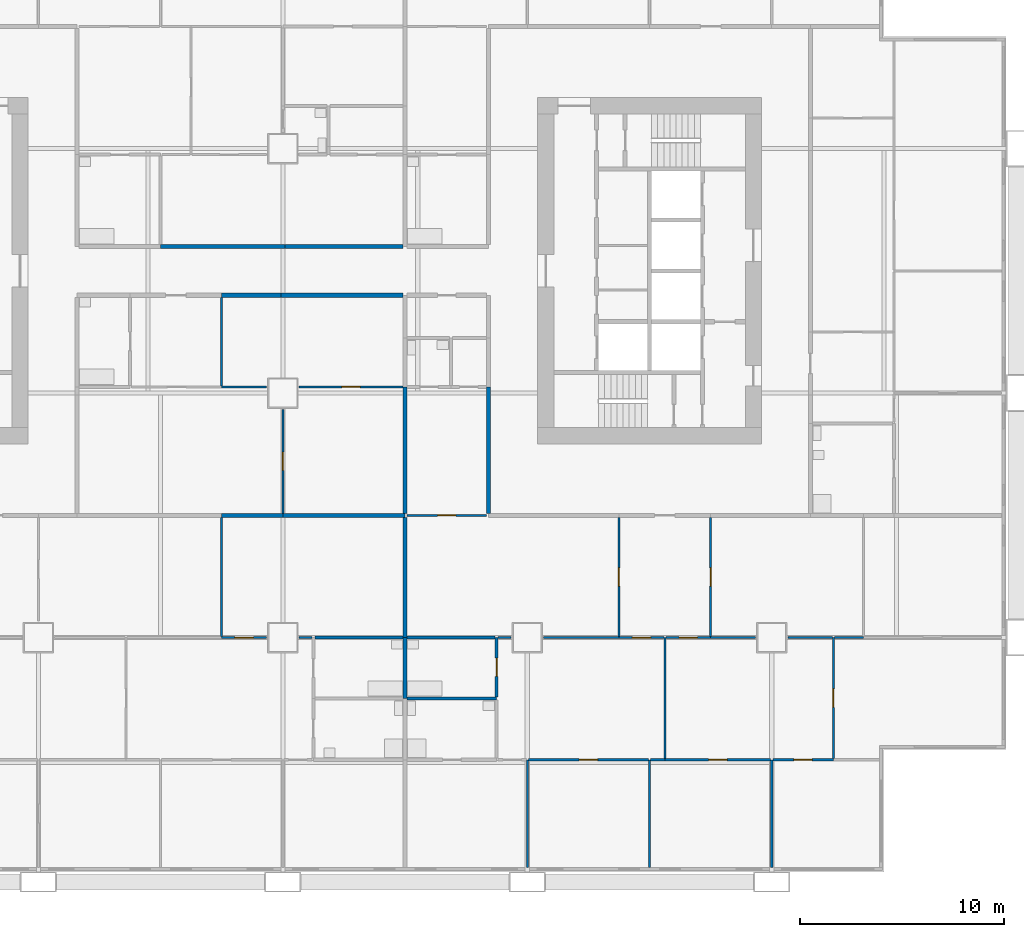
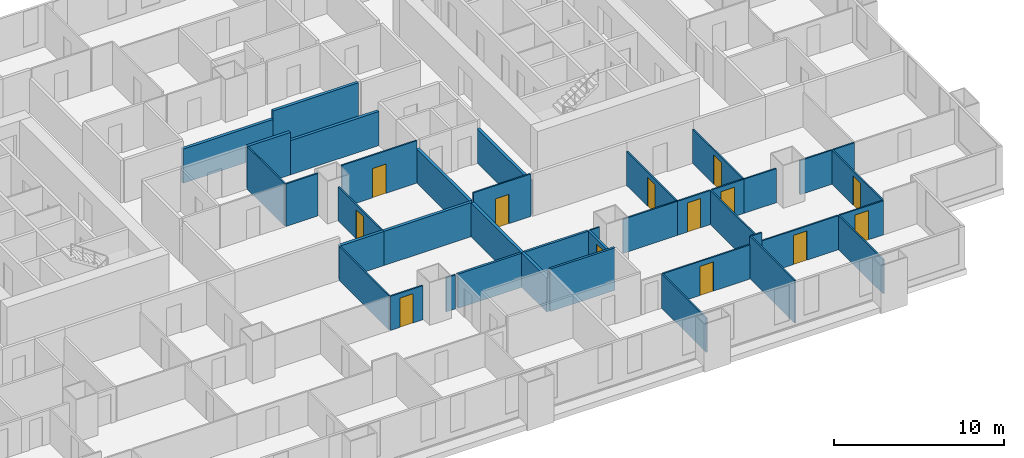
# One storey, part 6 of 14: 40 walls, 13 doors, 13 openings.
"""IFC4 building model written with IfcOpenShell, lengths in metres."""

from ifc_helpers import new_model, si_unit, direction, frame, frame_2d, origin, place, context, subcontext, project, spatial, rectangle, extrude, material, layer, layer_set, type_object, element, fill, save


model = new_model("IFC4")

# Units and contexts
model_context = context("Model", 3, precision=1e-05, world=origin(), true_north=direction((0.0, 1.0)))
body_context = subcontext(model_context, "Body", "Model", "MODEL_VIEW")
ifc_project = project(units=[si_unit("LENGTHUNIT", "METRE"), si_unit("AREAUNIT", "SQUARE_METRE"), si_unit("VOLUMEUNIT", "CUBIC_METRE"), si_unit("PLANEANGLEUNIT", "RADIAN"), si_unit("MASSUNIT", "GRAM", prefix="KILO")], contexts=[model_context])

# Site, building, storey
site_placement = place(None, origin())
site = spatial("IfcSite", under=ifc_project, at=site_placement, CompositionType="ELEMENT")
building_placement = place(site_placement, origin())
building = spatial("IfcBuilding", under=site, at=building_placement, Name="Kitamizu Gate Tower and Museum", CompositionType="ELEMENT")
storey_placement = place(building_placement, frame((0.0, 0.0, 54.14990234375)))
storey = spatial("IfcBuildingStorey", under=building, at=storey_placement, Name="L12", CompositionType="ELEMENT", Elevation=54.14990234375)

# Wall, opening, door
ifc_material_1 = material(Name="Gypsum board on galvanised stud")
ifc_layer_1 = layer(ifc_material_1, 0.10009765625)
ifc_layer_set_1 = layer_set([ifc_layer_1], Name="Gypsum board on galvanised stud")
wall_type_1 = type_object("IfcWallType", Name="Partition 100 NOT RATED", PredefinedType="PARTITIONING", material=ifc_layer_set_1)
wall_1_placement = place(storey_placement, frame((35.199951171875, 12.0, 0.0), z_axis=(0.0, 0.0, 1.0), x_axis=(-1.0, 0.0, 0.0)))
wall_1 = element("IfcWall", 1, at=wall_1_placement, inside=storey, type_object=wall_type_1, Name="Partition L12-030", PredefinedType="PARTITIONING", context=body_context, shape_type="SweptSolid", body=[
    extrude(rectangle(XDim=2.199951171875, YDim=0.10009765625, at=frame_2d((1.10009765625, 0.0))), origin(), (0.0, 0.0, 1.0), 2.4501953125),
])
opening_1_placement = place(wall_1_placement, frame((0.64990234375, 0.0, 0.0)))
opening_1 = element("IfcOpeningElement", 2, at=opening_1_placement, cuts=wall_1, Name="Opening L12-019", PredefinedType="OPENING", context=body_context, shape_type="SweptSolid", body=[
    extrude(rectangle(XDim=0.89990234375, YDim=2.10009765625, at=frame_2d((0.449951171875, 1.050048828125))), frame((0.0, 0.06005859375, 0.0), z_axis=(0.0, -1.0, 0.0), x_axis=(1.0, 0.0, 0.0)), (0.0, 0.0, 1.0), 0.1201171875),
])
ifc_material_2 = material(Name="Timber door set", Category="wood")
door_type_1 = type_object("IfcDoorType", Name="Room door 900", OperationType="NOTDEFINED", PredefinedType="DOOR", material=ifc_material_2)
door_1_placement = place(opening_1_placement, frame((0.89990234375, 0.0, 0.0), x_axis=(-1.0, 0.0, 0.0)))
door_1 = element("IfcDoor", 3, at=door_1_placement, inside=storey, type_object=door_type_1, Name="Door L12-019", OperationType="SINGLE_SWING_RIGHT", OverallHeight=2.10009765625, OverallWidth=0.89990234375, PredefinedType="DOOR", context=body_context, shape_type="SweptSolid", body=[
    extrude(rectangle(XDim=0.89990234375, YDim=2.10009765625, at=frame_2d((0.449951171875, 1.050048828125))), frame((0.0, 0.02490234375, 0.0), z_axis=(0.0, -1.0, 0.0), x_axis=(1.0, 0.0, 0.0)), (0.0, 0.0, 1.0), 0.050048828125),
])
fill(opening_1, door_1)

# Walls
wall_2_placement = place(storey_placement, frame((37.425048828125, 12.0, 0.0), z_axis=(0.0, 0.0, 1.0), x_axis=(-1.0, 0.0, 0.0)))
element("IfcWall", 4, at=wall_2_placement, inside=storey, type_object=wall_type_1, Name="Partition L12-031", PredefinedType="PARTITIONING", context=body_context, shape_type="SweptSolid", body=[
    extrude(rectangle(XDim=0.625, YDim=0.10009765625, at=frame_2d((0.3125, 0.0))), origin(), (0.0, 0.0, 1.0), 2.4501953125),
])
wall_3_placement = place(storey_placement, frame((33.0, 12.050048828125, 0.0), z_axis=(0.0, 0.0, 1.0), x_axis=(0.0, 1.0, 0.0)))
element("IfcWall", 5, at=wall_3_placement, inside=storey, type_object=wall_type_1, Name="Partition L12-053", PredefinedType="PARTITIONING", context=body_context, shape_type="SweptSolid", body=[
    extrude(rectangle(XDim=5.849853515625, YDim=0.10009765625, at=frame_2d((2.9248046875, 0.0))), origin(), (0.0, 0.0, 1.0), 2.4501953125),
])

# Wall, opening, door
wall_4_placement = place(storey_placement, frame((36.0, 18.10009765625, 0.0), z_axis=(0.0, 0.0, 1.0), x_axis=(0.0, 1.0, 0.0)))
wall_4 = element("IfcWall", 6, at=wall_4_placement, inside=storey, type_object=wall_type_1, Name="Partition L12-059", PredefinedType="PARTITIONING", context=body_context, shape_type="SweptSolid", body=[
    extrude(rectangle(XDim=5.099853515625, YDim=0.10009765625, at=frame_2d((2.5498046875, 0.0))), origin(), (0.0, 0.0, 1.0), 2.4501953125),
])
opening_2_placement = place(wall_4_placement, frame((2.10009765625, 0.0, 0.0)))
opening_2 = element("IfcOpeningElement", 7, at=opening_2_placement, cuts=wall_4, Name="Opening L12-023", PredefinedType="OPENING", context=body_context, shape_type="SweptSolid", body=[
    extrude(rectangle(XDim=0.89990234375, YDim=2.10009765625, at=frame_2d((0.449951171875, 1.050048828125))), frame((0.0, 0.06005859375, 0.0), z_axis=(0.0, -1.0, 0.0), x_axis=(1.0, 0.0, 0.0)), (0.0, 0.0, 1.0), 0.1201171875),
])
door_2_placement = place(opening_2_placement, frame((0.89990234375, 0.0, 0.0), x_axis=(-1.0, 0.0, 0.0)))
door_2 = element("IfcDoor", 8, at=door_2_placement, inside=storey, type_object=door_type_1, Name="Door L12-023", OperationType="SINGLE_SWING_LEFT", OverallHeight=2.10009765625, OverallWidth=0.89990234375, PredefinedType="DOOR", context=body_context, shape_type="SweptSolid", body=[
    extrude(rectangle(XDim=0.89990234375, YDim=2.10009765625, at=frame_2d((0.449951171875, 1.050048828125))), frame((0.0, 0.02490234375, 0.0), z_axis=(0.0, -1.0, 0.0), x_axis=(1.0, 0.0, 0.0)), (0.0, 0.0, 1.0), 0.050048828125),
])
fill(opening_2, door_2)

# Wall
wall_5_placement = place(storey_placement, frame((35.199951171875, 24.300048828125, 0.0), z_axis=(0.0, 0.0, 1.0), x_axis=(-1.0, 0.0, 0.0)))
element("IfcWall", 9, at=wall_5_placement, inside=storey, type_object=wall_type_1, Name="Partition L12-062", PredefinedType="PARTITIONING", context=body_context, shape_type="SweptSolid", body=[
    extrude(rectangle(XDim=2.199951171875, YDim=0.10009765625, at=frame_2d((1.10009765625, 0.0))), origin(), (0.0, 0.0, 1.0), 3.050048828125),
])

# Wall, opening, door
wall_6_placement = place(storey_placement, frame((41.89990234375, 24.300048828125, 0.0), z_axis=(0.0, 0.0, 1.0), x_axis=(-1.0, 0.0, 0.0)))
wall_6 = element("IfcWall", 10, at=wall_6_placement, inside=storey, type_object=wall_type_1, Name="Partition L12-065", PredefinedType="PARTITIONING", context=body_context, shape_type="SweptSolid", body=[
    extrude(rectangle(XDim=5.099853515625, YDim=0.10009765625, at=frame_2d((2.5498046875, 0.0))), origin(), (0.0, 0.0, 1.0), 3.050048828125),
])
opening_3_placement = place(wall_6_placement, frame((2.10009765625, 0.0, 0.0)))
opening_3 = element("IfcOpeningElement", 11, at=opening_3_placement, cuts=wall_6, Name="Opening L12-025", PredefinedType="OPENING", context=body_context, shape_type="SweptSolid", body=[
    extrude(rectangle(XDim=0.89990234375, YDim=2.10009765625, at=frame_2d((0.449951171875, 1.050048828125))), frame((0.0, 0.06005859375, 0.0), z_axis=(0.0, -1.0, 0.0), x_axis=(1.0, 0.0, 0.0)), (0.0, 0.0, 1.0), 0.1201171875),
])
door_3_placement = place(opening_3_placement, origin())
door_3 = element("IfcDoor", 12, at=door_3_placement, inside=storey, type_object=door_type_1, Name="Door L12-025", OperationType="SINGLE_SWING_RIGHT", OverallHeight=2.10009765625, OverallWidth=0.89990234375, PredefinedType="DOOR", context=body_context, shape_type="SweptSolid", body=[
    extrude(rectangle(XDim=0.89990234375, YDim=2.10009765625, at=frame_2d((0.449951171875, 1.050048828125))), frame((0.0, 0.02490234375, 0.0), z_axis=(0.0, -1.0, 0.0), x_axis=(1.0, 0.0, 0.0)), (0.0, 0.0, 1.0), 0.050048828125),
])
fill(opening_3, door_3)

# Walls
wall_7_placement = place(storey_placement, frame((33.0, 24.35009765625, 0.0), z_axis=(0.0, 0.0, 1.0), x_axis=(0.0, 1.0, 0.0)))
element("IfcWall", 13, at=wall_7_placement, inside=storey, type_object=wall_type_1, Name="Partition L12-070", PredefinedType="PARTITIONING", context=body_context, shape_type="SweptSolid", body=[
    extrude(rectangle(XDim=4.349853515625, YDim=0.10009765625, at=frame_2d((2.1748046875, 0.0))), origin(), (0.0, 0.0, 1.0), 3.050048828125),
])
wall_8_placement = place(storey_placement, frame((48.0, 0.719970703125, 0.0), z_axis=(0.0, 0.0, 1.0), x_axis=(0.0, 1.0, 0.0)))
element("IfcWall", 14, at=wall_8_placement, inside=storey, type_object=wall_type_1, Name="Partition L12-076", PredefinedType="PARTITIONING", context=body_context, shape_type="SweptSolid", body=[
    extrude(rectangle(XDim=5.280029296875, YDim=0.10009765625, at=frame_2d((2.64013671875, 0.0))), origin(), (0.0, 0.0, 1.0), 2.4501953125),
])
wall_9_placement = place(storey_placement, frame((54.0, 0.719970703125, 0.0), z_axis=(0.0, 0.0, 1.0), x_axis=(0.0, 1.0, 0.0)))
element("IfcWall", 15, at=wall_9_placement, inside=storey, type_object=wall_type_1, Name="Partition L12-079", PredefinedType="PARTITIONING", context=body_context, shape_type="SweptSolid", body=[
    extrude(rectangle(XDim=5.280029296875, YDim=0.10009765625, at=frame_2d((2.64013671875, 0.0))), origin(), (0.0, 0.0, 1.0), 3.050048828125),
])

# Wall, opening, door
wall_10_placement = place(storey_placement, frame((53.949951171875, 6.0, 0.0), z_axis=(0.0, 0.0, 1.0), x_axis=(-1.0, 0.0, 0.0)))
wall_10 = element("IfcWall", 16, at=wall_10_placement, inside=storey, type_object=wall_type_1, Name="Partition L12-080", PredefinedType="PARTITIONING", context=body_context, shape_type="SweptSolid", body=[
    extrude(rectangle(XDim=5.89990234375, YDim=0.10009765625, at=frame_2d((2.949951171875, 0.0))), origin(), (0.0, 0.0, 1.0), 2.4501953125),
])
opening_4_placement = place(wall_10_placement, frame((2.5, 0.0, 0.0)))
opening_4 = element("IfcOpeningElement", 17, at=opening_4_placement, cuts=wall_10, Name="Opening L12-032", PredefinedType="OPENING", context=body_context, shape_type="SweptSolid", body=[
    extrude(rectangle(XDim=0.89990234375, YDim=2.10009765625, at=frame_2d((0.449951171875, 1.050048828125))), frame((0.0, 0.06005859375, 0.0), z_axis=(0.0, -1.0, 0.0), x_axis=(1.0, 0.0, 0.0)), (0.0, 0.0, 1.0), 0.1201171875),
])
door_4_placement = place(opening_4_placement, origin())
door_4 = element("IfcDoor", 18, at=door_4_placement, inside=storey, type_object=door_type_1, Name="Door L12-032", OperationType="SINGLE_SWING_RIGHT", OverallHeight=2.10009765625, OverallWidth=0.89990234375, PredefinedType="DOOR", context=body_context, shape_type="SweptSolid", body=[
    extrude(rectangle(XDim=0.89990234375, YDim=2.10009765625, at=frame_2d((0.449951171875, 1.050048828125))), frame((0.0, 0.02490234375, 0.0), z_axis=(0.0, -1.0, 0.0), x_axis=(1.0, 0.0, 0.0)), (0.0, 0.0, 1.0), 0.050048828125),
])
fill(opening_4, door_4)

# Walls
wall_11_placement = place(storey_placement, frame((60.0, 0.719970703125, 0.0), z_axis=(0.0, 0.0, 1.0), x_axis=(0.0, 1.0, 0.0)))
element("IfcWall", 19, at=wall_11_placement, inside=storey, type_object=wall_type_1, Name="Partition L12-081", PredefinedType="PARTITIONING", context=body_context, shape_type="SweptSolid", body=[
    extrude(rectangle(XDim=5.280029296875, YDim=0.10009765625, at=frame_2d((2.64013671875, 0.0))), origin(), (0.0, 0.0, 1.0), 2.4501953125),
])
wall_12_placement = place(storey_placement, frame((54.760009765625, 6.0, 0.0), z_axis=(0.0, 0.0, 1.0), x_axis=(-1.0, 0.0, 0.0)))
element("IfcWall", 20, at=wall_12_placement, inside=storey, type_object=wall_type_1, Name="Partition L12-082", PredefinedType="PARTITIONING", context=body_context, shape_type="SweptSolid", body=[
    extrude(rectangle(XDim=0.7099609375, YDim=0.10009765625, at=frame_2d((0.35498046875, 0.0))), origin(), (0.0, 0.0, 1.0), 3.050048828125),
])

# Wall, opening, door
wall_13_placement = place(storey_placement, frame((59.949951171875, 6.0, 0.0), z_axis=(0.0, 0.0, 1.0), x_axis=(-1.0, 0.0, 0.0)))
wall_13 = element("IfcWall", 21, at=wall_13_placement, inside=storey, type_object=wall_type_1, Name="Partition L12-083", PredefinedType="PARTITIONING", context=body_context, shape_type="SweptSolid", body=[
    extrude(rectangle(XDim=5.18994140625, YDim=0.10009765625, at=frame_2d((2.594970703125, 0.0))), origin(), (0.0, 0.0, 1.0), 2.4501953125),
])
opening_5_placement = place(wall_13_placement, frame((2.14501953125, 0.0, 0.0)))
opening_5 = element("IfcOpeningElement", 22, at=opening_5_placement, cuts=wall_13, Name="Opening L12-033", PredefinedType="OPENING", context=body_context, shape_type="SweptSolid", body=[
    extrude(rectangle(XDim=0.89990234375, YDim=2.10009765625, at=frame_2d((0.449951171875, 1.050048828125))), frame((0.0, 0.06005859375, 0.0), z_axis=(0.0, -1.0, 0.0), x_axis=(1.0, 0.0, 0.0)), (0.0, 0.0, 1.0), 0.1201171875),
])
door_5_placement = place(opening_5_placement, origin())
door_5 = element("IfcDoor", 23, at=door_5_placement, inside=storey, type_object=door_type_1, Name="Door L12-033", OperationType="SINGLE_SWING_LEFT", OverallHeight=2.10009765625, OverallWidth=0.89990234375, PredefinedType="DOOR", context=body_context, shape_type="SweptSolid", body=[
    extrude(rectangle(XDim=0.89990234375, YDim=2.10009765625, at=frame_2d((0.449951171875, 1.050048828125))), frame((0.0, 0.02490234375, 0.0), z_axis=(0.0, -1.0, 0.0), x_axis=(1.0, 0.0, 0.0)), (0.0, 0.0, 1.0), 0.050048828125),
])
fill(opening_5, door_5)

wall_14_placement = place(storey_placement, frame((63.02001953125, 6.0, 0.0), z_axis=(0.0, 0.0, 1.0), x_axis=(-1.0, 0.0, 0.0)))
wall_14 = element("IfcWall", 24, at=wall_14_placement, inside=storey, type_object=wall_type_1, Name="Partition L12-084", PredefinedType="PARTITIONING", context=body_context, shape_type="SweptSolid", body=[
    extrude(rectangle(XDim=2.969970703125, YDim=0.10009765625, at=frame_2d((1.48486328125, 0.0))), origin(), (0.0, 0.0, 1.0), 2.4501953125),
])
opening_6_placement = place(wall_14_placement, frame((1.034912109375, 0.0, 0.0)))
opening_6 = element("IfcOpeningElement", 25, at=opening_6_placement, cuts=wall_14, Name="Opening L12-034", PredefinedType="OPENING", context=body_context, shape_type="SweptSolid", body=[
    extrude(rectangle(XDim=0.89990234375, YDim=2.10009765625, at=frame_2d((0.449951171875, 1.050048828125))), frame((0.0, 0.06005859375, 0.0), z_axis=(0.0, -1.0, 0.0), x_axis=(1.0, 0.0, 0.0)), (0.0, 0.0, 1.0), 0.1201171875),
])
door_6_placement = place(opening_6_placement, origin())
door_6 = element("IfcDoor", 26, at=door_6_placement, inside=storey, type_object=door_type_1, Name="Door L12-034", OperationType="SINGLE_SWING_LEFT", OverallHeight=2.10009765625, OverallWidth=0.89990234375, PredefinedType="DOOR", context=body_context, shape_type="SweptSolid", body=[
    extrude(rectangle(XDim=0.89990234375, YDim=2.10009765625, at=frame_2d((0.449951171875, 1.050048828125))), frame((0.0, 0.02490234375, 0.0), z_axis=(0.0, -1.0, 0.0), x_axis=(1.0, 0.0, 0.0)), (0.0, 0.0, 1.0), 0.050048828125),
])
fill(opening_6, door_6)

# Walls
wall_15_placement = place(storey_placement, frame((54.760009765625, 6.050048828125, 0.0), z_axis=(0.0, 0.0, 1.0), x_axis=(0.0, 1.0, 0.0)))
element("IfcWall", 27, at=wall_15_placement, inside=storey, type_object=wall_type_1, Name="Partition L12-090", PredefinedType="PARTITIONING", context=body_context, shape_type="SweptSolid", body=[
    extrude(rectangle(XDim=5.949951171875, YDim=0.10009765625, at=frame_2d((2.97509765625, 0.0))), origin(), (0.0, 0.0, 1.0), 2.4501953125),
])
wall_16_placement = place(storey_placement, frame((47.199951171875, 12.0, 0.0), z_axis=(0.0, 0.0, 1.0), x_axis=(-1.0, 0.0, 0.0)))
element("IfcWall", 28, at=wall_16_placement, inside=storey, type_object=wall_type_1, Name="Partition L12-091", PredefinedType="PARTITIONING", context=body_context, shape_type="SweptSolid", body=[
    extrude(rectangle(XDim=0.625, YDim=0.10009765625, at=frame_2d((0.3125, 0.0))), origin(), (0.0, 0.0, 1.0), 2.4501953125),
])
wall_17_placement = place(storey_placement, frame((52.5, 12.0, 0.0), z_axis=(0.0, 0.0, 1.0), x_axis=(-1.0, 0.0, 0.0)))
element("IfcWall", 29, at=wall_17_placement, inside=storey, type_object=wall_type_1, Name="Partition L12-092", PredefinedType="PARTITIONING", context=body_context, shape_type="SweptSolid", body=[
    extrude(rectangle(XDim=3.699951171875, YDim=0.10009765625, at=frame_2d((1.85009765625, 0.0))), origin(), (0.0, 0.0, 1.0), 2.4501953125),
])

# Wall, opening, door
wall_18_placement = place(storey_placement, frame((54.7099609375, 12.0, 0.0), z_axis=(0.0, 0.0, 1.0), x_axis=(-1.0, 0.0, 0.0)))
wall_18 = element("IfcWall", 30, at=wall_18_placement, inside=storey, type_object=wall_type_1, Name="Partition L12-093", PredefinedType="PARTITIONING", context=body_context, shape_type="SweptSolid", body=[
    extrude(rectangle(XDim=2.2099609375, YDim=0.10009765625, at=frame_2d((1.10498046875, 0.0))), origin(), (0.0, 0.0, 1.0), 2.4501953125),
])
opening_7_placement = place(wall_18_placement, frame((0.655029296875, 0.0, 0.0)))
opening_7 = element("IfcOpeningElement", 31, at=opening_7_placement, cuts=wall_18, Name="Opening L12-027", PredefinedType="OPENING", context=body_context, shape_type="SweptSolid", body=[
    extrude(rectangle(XDim=0.89990234375, YDim=2.10009765625, at=frame_2d((0.449951171875, 1.050048828125))), frame((0.0, 0.06005859375, 0.0), z_axis=(0.0, -1.0, 0.0), x_axis=(1.0, 0.0, 0.0)), (0.0, 0.0, 1.0), 0.1201171875),
])
door_7_placement = place(opening_7_placement, frame((0.89990234375, 0.0, 0.0), x_axis=(-1.0, 0.0, 0.0)))
door_7 = element("IfcDoor", 32, at=door_7_placement, inside=storey, type_object=door_type_1, Name="Door L12-027", OperationType="SINGLE_SWING_RIGHT", OverallHeight=2.10009765625, OverallWidth=0.89990234375, PredefinedType="DOOR", context=body_context, shape_type="SweptSolid", body=[
    extrude(rectangle(XDim=0.89990234375, YDim=2.10009765625, at=frame_2d((0.449951171875, 1.050048828125))), frame((0.0, 0.02490234375, 0.0), z_axis=(0.0, -1.0, 0.0), x_axis=(1.0, 0.0, 0.0)), (0.0, 0.0, 1.0), 0.050048828125),
])
fill(opening_7, door_7)

wall_19_placement = place(storey_placement, frame((63.02001953125, 6.050048828125, 0.0), z_axis=(0.0, 0.0, 1.0), x_axis=(0.0, 1.0, 0.0)))
wall_19 = element("IfcWall", 33, at=wall_19_placement, inside=storey, type_object=wall_type_1, Name="Partition L12-094", PredefinedType="PARTITIONING", context=body_context, shape_type="SweptSolid", body=[
    extrude(rectangle(XDim=5.949951171875, YDim=0.10009765625, at=frame_2d((2.97509765625, 0.0))), origin(), (0.0, 0.0, 1.0), 2.4501953125),
])
opening_8_placement = place(wall_19_placement, frame((2.52490234375, 0.0, 0.0)))
opening_8 = element("IfcOpeningElement", 34, at=opening_8_placement, cuts=wall_19, Name="Opening L12-030", PredefinedType="OPENING", context=body_context, shape_type="SweptSolid", body=[
    extrude(rectangle(XDim=0.89990234375, YDim=2.10009765625, at=frame_2d((0.449951171875, 1.050048828125))), frame((0.0, 0.06005859375, 0.0), z_axis=(0.0, -1.0, 0.0), x_axis=(1.0, 0.0, 0.0)), (0.0, 0.0, 1.0), 0.1201171875),
])
door_8_placement = place(opening_8_placement, frame((0.89990234375, 0.0, 0.0), x_axis=(-1.0, 0.0, 0.0)))
door_8 = element("IfcDoor", 35, at=door_8_placement, inside=storey, type_object=door_type_1, Name="Door L12-030", OperationType="SINGLE_SWING_LEFT", OverallHeight=2.10009765625, OverallWidth=0.89990234375, PredefinedType="DOOR", context=body_context, shape_type="SweptSolid", body=[
    extrude(rectangle(XDim=0.89990234375, YDim=2.10009765625, at=frame_2d((0.449951171875, 1.050048828125))), frame((0.0, 0.02490234375, 0.0), z_axis=(0.0, -1.0, 0.0), x_axis=(1.0, 0.0, 0.0)), (0.0, 0.0, 1.0), 0.050048828125),
])
fill(opening_8, door_8)

wall_20_placement = place(storey_placement, frame((57.0, 12.0, 0.0), z_axis=(0.0, 0.0, 1.0), x_axis=(-1.0, 0.0, 0.0)))
wall_20 = element("IfcWall", 36, at=wall_20_placement, inside=storey, type_object=wall_type_1, Name="Partition L12-095", PredefinedType="PARTITIONING", context=body_context, shape_type="SweptSolid", body=[
    extrude(rectangle(XDim=2.18994140625, YDim=0.10009765625, at=frame_2d((1.094970703125, 0.0))), origin(), (0.0, 0.0, 1.0), 2.4501953125),
])
opening_9_placement = place(wall_20_placement, frame((0.64501953125, 0.0, 0.0)))
opening_9 = element("IfcOpeningElement", 37, at=opening_9_placement, cuts=wall_20, Name="Opening L12-028", PredefinedType="OPENING", context=body_context, shape_type="SweptSolid", body=[
    extrude(rectangle(XDim=0.89990234375, YDim=2.10009765625, at=frame_2d((0.449951171875, 1.050048828125))), frame((0.0, 0.06005859375, 0.0), z_axis=(0.0, -1.0, 0.0), x_axis=(1.0, 0.0, 0.0)), (0.0, 0.0, 1.0), 0.1201171875),
])
door_9_placement = place(opening_9_placement, origin())
door_9 = element("IfcDoor", 38, at=door_9_placement, inside=storey, type_object=door_type_1, Name="Door L12-028", OperationType="SINGLE_SWING_LEFT", OverallHeight=2.10009765625, OverallWidth=0.89990234375, PredefinedType="DOOR", context=body_context, shape_type="SweptSolid", body=[
    extrude(rectangle(XDim=0.89990234375, YDim=2.10009765625, at=frame_2d((0.449951171875, 1.050048828125))), frame((0.0, 0.02490234375, 0.0), z_axis=(0.0, -1.0, 0.0), x_axis=(1.0, 0.0, 0.0)), (0.0, 0.0, 1.0), 0.050048828125),
])
fill(opening_9, door_9)

# Walls
wall_21_placement = place(storey_placement, frame((59.199951171875, 12.0, 0.0), z_axis=(0.0, 0.0, 1.0), x_axis=(-1.0, 0.0, 0.0)))
element("IfcWall", 39, at=wall_21_placement, inside=storey, type_object=wall_type_1, Name="Partition L12-096", PredefinedType="PARTITIONING", context=body_context, shape_type="SweptSolid", body=[
    extrude(rectangle(XDim=2.199951171875, YDim=0.10009765625, at=frame_2d((1.10009765625, 0.0))), origin(), (0.0, 0.0, 1.0), 2.4501953125),
])
wall_22_placement = place(storey_placement, frame((62.969970703125, 12.0, 0.0), z_axis=(0.0, 0.0, 1.0), x_axis=(-1.0, 0.0, 0.0)))
element("IfcWall", 40, at=wall_22_placement, inside=storey, type_object=wall_type_1, Name="Partition L12-097", PredefinedType="PARTITIONING", context=body_context, shape_type="SweptSolid", body=[
    extrude(rectangle(XDim=2.169921875, YDim=0.10009765625, at=frame_2d((1.0849609375, 0.0))), origin(), (0.0, 0.0, 1.0), 2.4501953125),
])
wall_23_placement = place(storey_placement, frame((64.5, 12.0, 0.0), z_axis=(0.0, 0.0, 1.0), x_axis=(-1.0, 0.0, 0.0)))
element("IfcWall", 41, at=wall_23_placement, inside=storey, type_object=wall_type_1, Name="Partition L12-098", PredefinedType="PARTITIONING", context=body_context, shape_type="SweptSolid", body=[
    extrude(rectangle(XDim=1.429931640625, YDim=0.10009765625, at=frame_2d((0.71484375, 0.0))), origin(), (0.0, 0.0, 1.0), 2.4501953125),
])

# Wall, opening, door
wall_24_placement = place(storey_placement, frame((52.5, 12.050048828125, 0.0), z_axis=(0.0, 0.0, 1.0), x_axis=(0.0, 1.0, 0.0)))
wall_24 = element("IfcWall", 42, at=wall_24_placement, inside=storey, type_object=wall_type_1, Name="Partition L12-100", PredefinedType="PARTITIONING", context=body_context, shape_type="SweptSolid", body=[
    extrude(rectangle(XDim=5.849853515625, YDim=0.10009765625, at=frame_2d((2.9248046875, 0.0))), origin(), (0.0, 0.0, 1.0), 2.4501953125),
])
opening_10_placement = place(wall_24_placement, frame((2.47509765625, 0.0, 0.0)))
opening_10 = element("IfcOpeningElement", 43, at=opening_10_placement, cuts=wall_24, Name="Opening L12-036", PredefinedType="OPENING", context=body_context, shape_type="SweptSolid", body=[
    extrude(rectangle(XDim=0.89990234375, YDim=2.10009765625, at=frame_2d((0.449951171875, 1.050048828125))), frame((0.0, 0.06005859375, 0.0), z_axis=(0.0, -1.0, 0.0), x_axis=(1.0, 0.0, 0.0)), (0.0, 0.0, 1.0), 0.1201171875),
])
door_10_placement = place(opening_10_placement, origin())
door_10 = element("IfcDoor", 44, at=door_10_placement, inside=storey, type_object=door_type_1, Name="Door L12-036", OperationType="SINGLE_SWING_LEFT", OverallHeight=2.10009765625, OverallWidth=0.89990234375, PredefinedType="DOOR", context=body_context, shape_type="SweptSolid", body=[
    extrude(rectangle(XDim=0.89990234375, YDim=2.10009765625, at=frame_2d((0.449951171875, 1.050048828125))), frame((0.0, 0.02490234375, 0.0), z_axis=(0.0, -1.0, 0.0), x_axis=(1.0, 0.0, 0.0)), (0.0, 0.0, 1.0), 0.050048828125),
])
fill(opening_10, door_10)

wall_25_placement = place(storey_placement, frame((46.0, 18.0, 0.0), z_axis=(0.0, 0.0, 1.0), x_axis=(-1.0, 0.0, 0.0)))
wall_25 = element("IfcWall", 45, at=wall_25_placement, inside=storey, type_object=wall_type_1, Name="Partition L12-101", PredefinedType="PARTITIONING", context=body_context, shape_type="SweptSolid", body=[
    extrude(rectangle(XDim=3.89990234375, YDim=0.10009765625, at=frame_2d((1.949951171875, 0.0))), origin(), (0.0, 0.0, 1.0), 3.050048828125),
])
opening_11_placement = place(wall_25_placement, frame((1.5, 0.0, 0.0)))
opening_11 = element("IfcOpeningElement", 46, at=opening_11_placement, cuts=wall_25, Name="Opening L12-039", PredefinedType="OPENING", context=body_context, shape_type="SweptSolid", body=[
    extrude(rectangle(XDim=0.89990234375, YDim=2.10009765625, at=frame_2d((0.449951171875, 1.050048828125))), frame((0.0, 0.06005859375, 0.0), z_axis=(0.0, -1.0, 0.0), x_axis=(1.0, 0.0, 0.0)), (0.0, 0.0, 1.0), 0.1201171875),
])
door_11_placement = place(opening_11_placement, frame((0.89990234375, 0.0, 0.0), x_axis=(-1.0, 0.0, 0.0)))
door_11 = element("IfcDoor", 47, at=door_11_placement, inside=storey, type_object=door_type_1, Name="Door L12-039", OperationType="SINGLE_SWING_LEFT", OverallHeight=2.10009765625, OverallWidth=0.89990234375, PredefinedType="DOOR", context=body_context, shape_type="SweptSolid", body=[
    extrude(rectangle(XDim=0.89990234375, YDim=2.10009765625, at=frame_2d((0.449951171875, 1.050048828125))), frame((0.0, 0.02490234375, 0.0), z_axis=(0.0, -1.0, 0.0), x_axis=(1.0, 0.0, 0.0)), (0.0, 0.0, 1.0), 0.050048828125),
])
fill(opening_11, door_11)

wall_26_placement = place(storey_placement, frame((57.0, 12.050048828125, 0.0), z_axis=(0.0, 0.0, 1.0), x_axis=(0.0, 1.0, 0.0)))
wall_26 = element("IfcWall", 48, at=wall_26_placement, inside=storey, type_object=wall_type_1, Name="Partition L12-103", PredefinedType="PARTITIONING", context=body_context, shape_type="SweptSolid", body=[
    extrude(rectangle(XDim=5.849853515625, YDim=0.10009765625, at=frame_2d((2.9248046875, 0.0))), origin(), (0.0, 0.0, 1.0), 2.4501953125),
])
opening_12_placement = place(wall_26_placement, frame((2.47509765625, 0.0, 0.0)))
opening_12 = element("IfcOpeningElement", 49, at=opening_12_placement, cuts=wall_26, Name="Opening L12-037", PredefinedType="OPENING", context=body_context, shape_type="SweptSolid", body=[
    extrude(rectangle(XDim=0.89990234375, YDim=2.10009765625, at=frame_2d((0.449951171875, 1.050048828125))), frame((0.0, 0.06005859375, 0.0), z_axis=(0.0, -1.0, 0.0), x_axis=(1.0, 0.0, 0.0)), (0.0, 0.0, 1.0), 0.1201171875),
])
door_12_placement = place(opening_12_placement, frame((0.89990234375, 0.0, 0.0), x_axis=(-1.0, 0.0, 0.0)))
door_12 = element("IfcDoor", 50, at=door_12_placement, inside=storey, type_object=door_type_1, Name="Door L12-037", OperationType="SINGLE_SWING_LEFT", OverallHeight=2.10009765625, OverallWidth=0.89990234375, PredefinedType="DOOR", context=body_context, shape_type="SweptSolid", body=[
    extrude(rectangle(XDim=0.89990234375, YDim=2.10009765625, at=frame_2d((0.449951171875, 1.050048828125))), frame((0.0, 0.02490234375, 0.0), z_axis=(0.0, -1.0, 0.0), x_axis=(1.0, 0.0, 0.0)), (0.0, 0.0, 1.0), 0.050048828125),
])
fill(opening_12, door_12)

# Walls
ifc_material_3 = material(Name="Gypsum board on galvanised stud")
ifc_layer_2 = layer(ifc_material_3, 0.14990234375)
ifc_layer_set_2 = layer_set([ifc_layer_2], Name="Gypsum board on galvanised stud")
wall_type_2 = type_object("IfcWallType", Name="Partition 150", PredefinedType="PARTITIONING", material=ifc_layer_set_2)
wall_27_placement = place(storey_placement, frame((41.89990234375, 12.0, 0.0), z_axis=(0.0, 0.0, 1.0), x_axis=(-1.0, 0.0, 0.0)))
element("IfcWall", 51, at=wall_27_placement, inside=storey, type_object=wall_type_2, Name="Partition L12-034", PredefinedType="PARTITIONING", context=body_context, shape_type="SweptSolid", body=[
    extrude(rectangle(XDim=4.324951171875, YDim=0.14990234375, at=frame_2d((2.16259765625, 0.0))), origin(), (0.0, 0.0, 1.0), 2.4501953125),
])
wall_28_placement = place(storey_placement, frame((46.5, 9.0, 0.0), z_axis=(0.0, 0.0, 1.0), x_axis=(-1.0, 0.0, 0.0)))
element("IfcWall", 52, at=wall_28_placement, inside=storey, type_object=wall_type_2, Name="Partition L12-086", PredefinedType="PARTITIONING", context=body_context, shape_type="SweptSolid", body=[
    extrude(rectangle(XDim=4.39990234375, YDim=0.14990234375, at=frame_2d((2.199951171875, 0.0))), origin(), (0.0, 0.0, 1.0), 3.050048828125),
])

# Wall, opening, door
wall_29_placement = place(storey_placement, frame((46.5, 9.074951171875, 0.0), z_axis=(0.0, 0.0, 1.0), x_axis=(0.0, 1.0, 0.0)))
wall_29 = element("IfcWall", 53, at=wall_29_placement, inside=storey, type_object=wall_type_2, Name="Partition L12-088", PredefinedType="PARTITIONING", context=body_context, shape_type="SweptSolid", body=[
    extrude(rectangle(XDim=2.925048828125, YDim=0.14990234375, at=frame_2d((1.46240234375, 0.0))), origin(), (0.0, 0.0, 1.0), 2.4501953125),
])
opening_13_placement = place(wall_29_placement, frame((1.012451171875, 0.0, 0.0)))
opening_13 = element("IfcOpeningElement", 54, at=opening_13_placement, cuts=wall_29, Name="Opening L12-035", PredefinedType="OPENING", context=body_context, shape_type="SweptSolid", body=[
    extrude(rectangle(XDim=0.89990234375, YDim=2.10009765625, at=frame_2d((0.449951171875, 1.050048828125))), frame((0.0, 0.0849609375, 0.0), z_axis=(0.0, -1.0, 0.0), x_axis=(1.0, 0.0, 0.0)), (0.0, 0.0, 1.0), 0.169921875),
])
ifc_material_4 = material(Name="Timber door set", Category="wood")
door_type_2 = type_object("IfcDoorType", Name="Bathroom door 900", OperationType="NOTDEFINED", PredefinedType="DOOR", material=ifc_material_4)
door_13_placement = place(opening_13_placement, origin())
door_13 = element("IfcDoor", 55, at=door_13_placement, inside=storey, type_object=door_type_2, Name="Bathroom door L12-035", OperationType="SINGLE_SWING_RIGHT", OverallHeight=2.10009765625, OverallWidth=0.89990234375, PredefinedType="DOOR", context=body_context, shape_type="SweptSolid", body=[
    extrude(rectangle(XDim=0.89990234375, YDim=2.10009765625, at=frame_2d((0.449951171875, 1.050048828125))), frame((0.0, 0.02490234375, 0.0), z_axis=(0.0, -1.0, 0.0), x_axis=(1.0, 0.0, 0.0)), (0.0, 0.0, 1.0), 0.050048828125),
])
fill(opening_13, door_13)

# Walls
wall_30_placement = place(storey_placement, frame((46.425048828125, 12.0, 0.0), z_axis=(0.0, 0.0, 1.0), x_axis=(-1.0, 0.0, 0.0)))
element("IfcWall", 56, at=wall_30_placement, inside=storey, type_object=wall_type_2, Name="Partition L12-089", PredefinedType="PARTITIONING", context=body_context, shape_type="SweptSolid", body=[
    extrude(rectangle(XDim=4.324951171875, YDim=0.14990234375, at=frame_2d((2.16259765625, 0.0))), origin(), (0.0, 0.0, 1.0), 2.4501953125),
])
ifc_material_5 = material(Name="Gypsum board on galvanised stud")
ifc_layer_3 = layer(ifc_material_5, 0.199951171875)
ifc_layer_set_3 = layer_set([ifc_layer_3], Name="Gypsum board on galvanised stud")
wall_type_3 = type_object("IfcWallType", Name="Partition 200", PredefinedType="PARTITIONING", material=ifc_layer_set_3)
for number, where, z_axis, x_axis, name in (
    (57, (42.0, 9.0, 0.0), (0.0, 0.0, 1.0), (0.0, 1.0, 0.0), "Partition L12-035"),
    (58, (36.0, 18.0, 0.0), (0.0, 0.0, 1.0), (-1.0, 0.0, 0.0), "Partition L12-056"),
):
    element("IfcWall", number, at=place(storey_placement, frame(where, z_axis=z_axis, x_axis=x_axis)), inside=storey, type_object=wall_type_3, Name=name, PredefinedType="PARTITIONING", context=body_context, shape_type="SweptSolid", body=[
        extrude(rectangle(XDim=3.0, YDim=0.199951171875, at=frame_2d((1.5, 0.0))), origin(), (0.0, 0.0, 1.0), 2.4501953125),
    ])
wall_31_placement = place(storey_placement, frame((42.0, 18.0, 0.0), z_axis=(0.0, 0.0, 1.0), x_axis=(-1.0, 0.0, 0.0)))
element("IfcWall", 59, at=wall_31_placement, inside=storey, type_object=wall_type_3, Name="Partition L12-057", PredefinedType="PARTITIONING", context=body_context, shape_type="SweptSolid", body=[
    extrude(rectangle(XDim=6.0, YDim=0.199951171875, at=frame_2d((3.0, 0.0))), origin(), (0.0, 0.0, 1.0), 2.4501953125),
])
wall_32_placement = place(storey_placement, frame((42.0, 12.0, 0.0), z_axis=(0.0, 0.0, 1.0), x_axis=(0.0, 1.0, 0.0)))
element("IfcWall", 60, at=wall_32_placement, inside=storey, type_object=wall_type_3, Name="Partition L12-058", PredefinedType="PARTITIONING", context=body_context, shape_type="SweptSolid", body=[
    extrude(rectangle(XDim=5.89990234375, YDim=0.199951171875, at=frame_2d((2.949951171875, 0.0))), origin(), (0.0, 0.0, 1.0), 2.4501953125),
])
wall_33_placement = place(storey_placement, frame((42.0, 18.10009765625, 0.0), z_axis=(0.0, 0.0, 1.0), x_axis=(0.0, 1.0, 0.0)))
element("IfcWall", 61, at=wall_33_placement, inside=storey, type_object=wall_type_3, Name="Partition L12-066", PredefinedType="PARTITIONING", context=body_context, shape_type="SweptSolid", body=[
    extrude(rectangle(XDim=6.199951171875, YDim=0.199951171875, at=frame_2d((3.10009765625, 0.0))), origin(), (0.0, 0.0, 1.0), 2.4501953125),
])
wall_34_placement = place(storey_placement, frame((41.89990234375, 28.800048828125, 0.0), z_axis=(0.0, 0.0, 1.0), x_axis=(-1.0, 0.0, 0.0)))
element("IfcWall", 62, at=wall_34_placement, inside=storey, type_object=wall_type_3, Name="Partition L12-074", PredefinedType="PARTITIONING", context=body_context, shape_type="SweptSolid", body=[
    extrude(rectangle(XDim=6.0, YDim=0.199951171875, at=frame_2d((3.0, 0.0))), origin(), (0.0, 0.0, 1.0), 2.4501953125),
])
wall_35_placement = place(storey_placement, frame((35.89990234375, 28.800048828125, 0.0), z_axis=(0.0, 0.0, 1.0), x_axis=(-1.0, 0.0, 0.0)))
element("IfcWall", 63, at=wall_35_placement, inside=storey, type_object=wall_type_3, Name="Partition L12-075", PredefinedType="PARTITIONING", context=body_context, shape_type="SweptSolid", body=[
    extrude(rectangle(XDim=2.89990234375, YDim=0.199951171875, at=frame_2d((1.449951171875, 0.0))), origin(), (0.0, 0.0, 1.0), 3.050048828125),
])
wall_36_placement = place(storey_placement, frame((46.10009765625, 18.10009765625, 0.0), z_axis=(0.0, 0.0, 1.0), x_axis=(0.0, 1.0, 0.0)))
element("IfcWall", 64, at=wall_36_placement, inside=storey, type_object=wall_type_3, Name="Partition L12-112", PredefinedType="PARTITIONING", context=body_context, shape_type="SweptSolid", body=[
    extrude(rectangle(XDim=6.199951171875, YDim=0.199951171875, at=frame_2d((3.10009765625, 0.0))), origin(), (0.0, 0.0, 1.0), 2.4501953125),
])
wall_37_placement = place(storey_placement, frame((30.0, 31.199951171875, 0.0), z_axis=(0.0, 0.0, 1.0), x_axis=(1.0, 0.0, 0.0)))
element("IfcWall", 65, at=wall_37_placement, inside=storey, type_object=wall_type_3, Name="Partition L12-154", PredefinedType="PARTITIONING", context=body_context, shape_type="SweptSolid", body=[
    extrude(rectangle(XDim=6.10009765625, YDim=0.199951171875, at=frame_2d((3.050048828125, 0.0))), origin(), (0.0, 0.0, 1.0), 2.4501953125),
])
wall_38_placement = place(storey_placement, frame((36.10009765625, 31.199951171875, 0.0), z_axis=(0.0, 0.0, 1.0), x_axis=(1.0, 0.0, 0.0)))
element("IfcWall", 66, at=wall_38_placement, inside=storey, type_object=wall_type_3, Name="Partition L12-155", PredefinedType="PARTITIONING", context=body_context, shape_type="SweptSolid", body=[
    extrude(rectangle(XDim=5.7998046875, YDim=0.199951171875, at=frame_2d((2.89990234375, 0.0))), origin(), (0.0, 0.0, 1.0), 3.050048828125),
])

save(model, "model.ifc")
